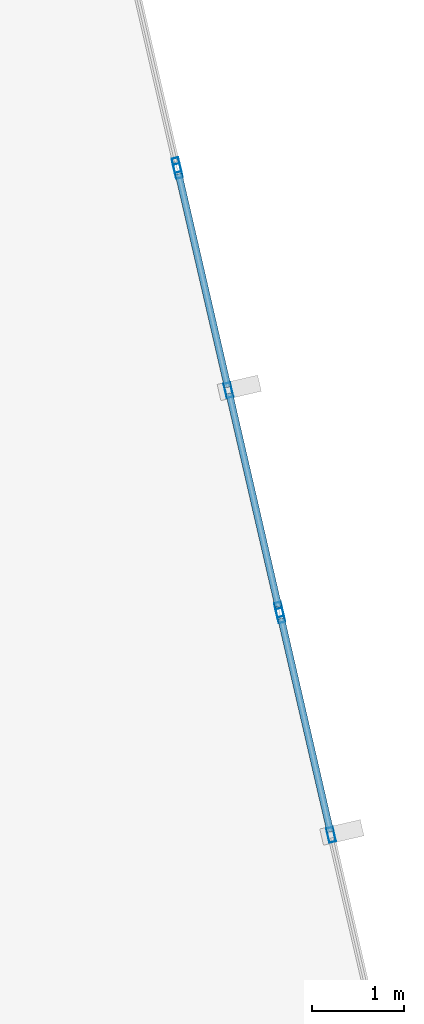
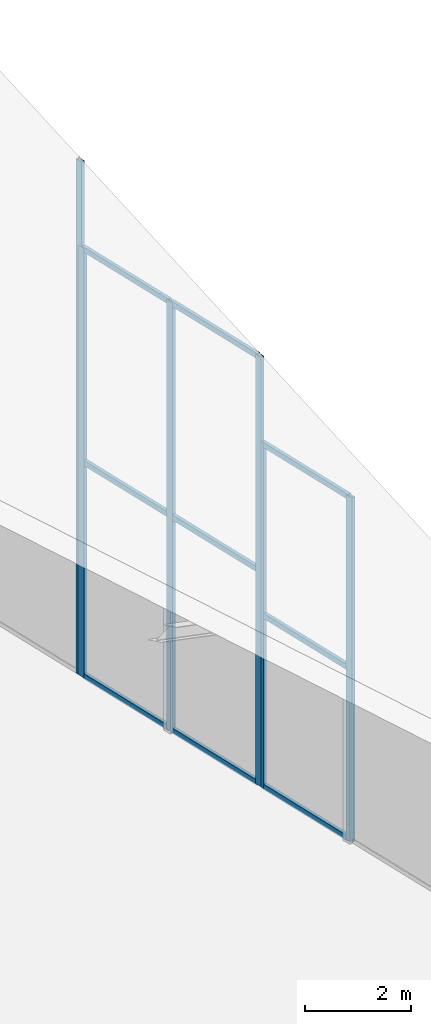
# One storey, part 24 of 74: 15 members, 3 elements without a shape of their own.
"""IFC4 building model written with IfcOpenShell, lengths in metres."""

from ifc_helpers import new_model, si_unit, direction, frame, origin, origin_2d, place, context, subcontext, project, spatial, hollow_rectangle, extrude, material, layer, layer_set, material_profile, profile_set, type_object, element, aggregate, save


model = new_model("IFC4")

# Units and contexts
model_context = context("Model", 3, precision=1e-05, world=origin(), true_north=direction((0.0, 1.0)))
body_context = subcontext(model_context, "Body", "Model", "MODEL_VIEW")
ifc_project = project(units=[si_unit("LENGTHUNIT", "METRE"), si_unit("AREAUNIT", "SQUARE_METRE"), si_unit("VOLUMEUNIT", "CUBIC_METRE"), si_unit("PLANEANGLEUNIT", "RADIAN"), si_unit("MASSUNIT", "GRAM", prefix="KILO")], contexts=[model_context])

# Site, building, storey
site_placement = place(None, origin())
site = spatial("IfcSite", under=ifc_project, at=site_placement, CompositionType="ELEMENT")
building_placement = place(site_placement, origin())
building = spatial("IfcBuilding", under=site, at=building_placement, Name="Keshet Zoharim Tower", CompositionType="ELEMENT")
storey_placement = place(building_placement, frame((0.0, 0.0, 320.0)))
storey = spatial("IfcBuildingStorey", under=building, at=storey_placement, Name="RF", CompositionType="ELEMENT", Elevation=320.0)

# Curtain wall, member
ifc_material = material(Name="Aluminium 6063-T6", Category="aluminium")
ifc_layer = layer(ifc_material, 0.260009765625)
ifc_layer_set = layer_set([ifc_layer], Name="Aluminium 6063-T6")
curtain_wall_type = type_object("IfcCurtainWallType", Name="CW-SYS-06", PredefinedType="NOTDEFINED", material=ifc_layer_set)
curtain_wall_1_placement = place(storey_placement, origin())
curtain_wall_1 = element("IfcCurtainWall", 1, at=curtain_wall_1_placement, inside=storey, type_object=curtain_wall_type, Name="Slanted Crown Curtain Wall 19", PredefinedType="NOTDEFINED")
ifc_material_profile_1 = material_profile(ifc_material, hollow_rectangle(XDim=0.074951171875, YDim=0.159912109375, WallThickness=0.00390625, at=origin_2d()), Name="MUL-75x160")
ifc_profile_set_1 = profile_set([ifc_material_profile_1], Name="Aluminium 6063-T6")
member_type_1 = type_object("IfcMemberType", Name="CWM-M15", PredefinedType="MULLION", material=ifc_profile_set_1)
member_1_placement = place(storey_placement, frame((42.685791015625, 37.9287109375, 0.0), z_axis=(0.0, 0.0, 1.0), x_axis=(0.974384378225, 0.224889047025, 0.0)))
member_1 = element("IfcMember", 2, at=member_1_placement, type_object=member_type_1, Name="CW-06 mullion 3", PredefinedType="MULLION", context=body_context, shape_type="SweptSolid", body=[
    extrude(hollow_rectangle(XDim=0.074951171875, YDim=0.159912109375, WallThickness=0.00390625, at=origin_2d()), origin(), (0.0, 0.0, 1.0), 11.7900390625),
])
aggregate(curtain_wall_1, [member_1])

# Curtain wall, members
curtain_wall_2_placement = place(storey_placement, origin())
curtain_wall_2 = element("IfcCurtainWall", 3, at=curtain_wall_2_placement, inside=storey, type_object=curtain_wall_type, Name="Slanted Crown Curtain Wall 20", PredefinedType="NOTDEFINED")
member_2_placement = place(storey_placement, frame((42.7001953125, 37.865234375, 0.0), z_axis=(0.0, 0.0, 1.0), x_axis=(0.974418463235, 0.224741314643, 0.0)))
member_2 = element("IfcMember", 4, at=member_2_placement, type_object=member_type_1, Name="CW-06 mullion 1", PredefinedType="MULLION", context=body_context, shape_type="SweptSolid", body=[
    extrude(hollow_rectangle(XDim=0.074951171875, YDim=0.159912109375, WallThickness=0.00390625, at=origin_2d()), origin(), (0.0, 0.0, 1.0), 9.845947265625),
])
member_3_placement = place(storey_placement, frame((43.24853515625, 35.488525390625, 0.0), z_axis=(0.0, 0.0, 1.0), x_axis=(0.974418463235, 0.224741314643, 0.0)))
member_3 = element("IfcMember", 5, at=member_3_placement, type_object=member_type_1, Name="CW-06 mullion 2", PredefinedType="MULLION", context=body_context, shape_type="SweptSolid", body=[
    extrude(hollow_rectangle(XDim=0.074951171875, YDim=0.159912109375, WallThickness=0.00390625, at=origin_2d()), origin(), (0.0, 0.0, 1.0), 9.845947265625),
])
member_4_placement = place(storey_placement, frame((43.796630859375, 33.111572265625, 0.0), z_axis=(0.0, 0.0, 1.0), x_axis=(0.974418463235, 0.224741314643, 0.0)))
member_4 = element("IfcMember", 6, at=member_4_placement, type_object=member_type_1, Name="CW-06 mullion 3", PredefinedType="MULLION", context=body_context, shape_type="SweptSolid", body=[
    extrude(hollow_rectangle(XDim=0.074951171875, YDim=0.159912109375, WallThickness=0.00390625, at=origin_2d()), origin(), (0.0, 0.0, 1.0), 9.845947265625),
])

curtain_wall_3_placement = place(storey_placement, origin())
curtain_wall_3 = element("IfcCurtainWall", 7, at=curtain_wall_3_placement, inside=storey, type_object=curtain_wall_type, Name="Slanted Crown Curtain Wall 21", PredefinedType="NOTDEFINED")
member_5_placement = place(storey_placement, frame((43.811279296875, 33.04833984375, 0.0), z_axis=(0.0, 0.0, 1.0), x_axis=(0.974384378225, 0.224889047025, 0.0)))
member_5 = element("IfcMember", 8, at=member_5_placement, type_object=member_type_1, Name="CW-06 mullion 1", PredefinedType="MULLION", context=body_context, shape_type="SweptSolid", body=[
    extrude(hollow_rectangle(XDim=0.074951171875, YDim=0.159912109375, WallThickness=0.00390625, at=origin_2d()), origin(), (0.0, 0.0, 1.0), 7.902099609375),
])
member_6_placement = place(storey_placement, frame((44.360107421875, 30.6708984375, 0.0), z_axis=(0.0, 0.0, 1.0), x_axis=(0.974384378225, 0.224889047025, 0.0)))
member_6 = element("IfcMember", 9, at=member_6_placement, type_object=member_type_1, Name="CW-06 mullion 2", PredefinedType="MULLION", context=body_context, shape_type="SweptSolid", body=[
    extrude(hollow_rectangle(XDim=0.074951171875, YDim=0.159912109375, WallThickness=0.00390625, at=origin_2d()), origin(), (0.0, 0.0, 1.0), 7.902099609375),
])

# Member
ifc_material_profile_2 = material_profile(ifc_material, hollow_rectangle(XDim=0.074951171875, YDim=0.1201171875, WallThickness=0.00390625, at=origin_2d()), Name="TRN-75x120")
ifc_profile_set_2 = profile_set([ifc_material_profile_2], Name="Aluminium 6063-T6")
member_type_2 = type_object("IfcMemberType", Name="CWT-T12", PredefinedType="USERDEFINED", material=ifc_profile_set_2)
member_7_placement = place(storey_placement, frame((42.70751953125, 37.833740234375, 0.032470703125), z_axis=(0.224784406129, -0.974408523547, 0.0), x_axis=(0.974408523547, 0.224784406129, 0.0)))
member_7 = element("IfcMember", 10, at=member_7_placement, type_object=member_type_2, Name="CW-06 transom 1.1", ObjectType="TRANSOM", PredefinedType="USERDEFINED", context=body_context, shape_type="SweptSolid", body=[
    extrude(hollow_rectangle(XDim=0.074951171875, YDim=0.1201171875, WallThickness=0.00390625, at=origin_2d()), origin(), (0.0, 0.0, 1.0), 2.374267578125),
])

member_8_placement = place(storey_placement, frame((42.70751953125, 37.833740234375, 4.923095703125), z_axis=(0.224784406129, -0.974408523547, 0.0), x_axis=(0.974408523547, 0.224784406129, 0.0)))
member_8 = element("IfcMember", 11, at=member_8_placement, type_object=member_type_2, Name="CW-06 transom 1.2", ObjectType="TRANSOM", PredefinedType="USERDEFINED", context=body_context, shape_type="SweptSolid", body=[
    extrude(hollow_rectangle(XDim=0.074951171875, YDim=0.1201171875, WallThickness=0.00390625, at=origin_2d()), origin(), (0.0, 0.0, 1.0), 2.374267578125),
])

member_9_placement = place(storey_placement, frame((42.70751953125, 37.833740234375, 9.8134765625), z_axis=(0.224784406129, -0.974408523547, 0.0), x_axis=(0.974408523547, 0.224784406129, 0.0)))
member_9 = element("IfcMember", 12, at=member_9_placement, type_object=member_type_2, Name="CW-06 transom 1.3", ObjectType="TRANSOM", PredefinedType="USERDEFINED", context=body_context, shape_type="SweptSolid", body=[
    extrude(hollow_rectangle(XDim=0.074951171875, YDim=0.1201171875, WallThickness=0.00390625, at=origin_2d()), origin(), (0.0, 0.0, 1.0), 2.374267578125),
])

member_10_placement = place(storey_placement, frame((43.255859375, 35.456787109375, 0.032470703125), z_axis=(0.224686769398, -0.974431042023, 0.0), x_axis=(0.974431042023, 0.224686769398, 0.0)))
member_10 = element("IfcMember", 13, at=member_10_placement, type_object=member_type_2, Name="CW-06 transom 2.1", ObjectType="TRANSOM", PredefinedType="USERDEFINED", context=body_context, shape_type="SweptSolid", body=[
    extrude(hollow_rectangle(XDim=0.074951171875, YDim=0.1201171875, WallThickness=0.00390625, at=origin_2d()), origin(), (0.0, 0.0, 1.0), 2.374267578125),
])

member_11_placement = place(storey_placement, frame((43.255859375, 35.456787109375, 4.923095703125), z_axis=(0.224686769398, -0.974431042023, 0.0), x_axis=(0.974431042023, 0.224686769398, 0.0)))
member_11 = element("IfcMember", 14, at=member_11_placement, type_object=member_type_2, Name="CW-06 transom 2.2", ObjectType="TRANSOM", PredefinedType="USERDEFINED", context=body_context, shape_type="SweptSolid", body=[
    extrude(hollow_rectangle(XDim=0.074951171875, YDim=0.1201171875, WallThickness=0.00390625, at=origin_2d()), origin(), (0.0, 0.0, 1.0), 2.374267578125),
])

member_12_placement = place(storey_placement, frame((43.255859375, 35.456787109375, 9.8134765625), z_axis=(0.224686769398, -0.974431042023, 0.0), x_axis=(0.974431042023, 0.224686769398, 0.0)))
member_12 = element("IfcMember", 15, at=member_12_placement, type_object=member_type_2, Name="CW-06 transom 2.3", ObjectType="TRANSOM", PredefinedType="USERDEFINED", context=body_context, shape_type="SweptSolid", body=[
    extrude(hollow_rectangle(XDim=0.074951171875, YDim=0.1201171875, WallThickness=0.00390625, at=origin_2d()), origin(), (0.0, 0.0, 1.0), 2.374267578125),
])

aggregate(curtain_wall_2, [member_2, member_3, member_4, member_7, member_8, member_9, member_10, member_11, member_12])

member_13_placement = place(storey_placement, frame((43.818603515625, 33.0166015625, 0.032470703125), z_axis=(0.224934587416, -0.974373866329, 0.0), x_axis=(0.974373866329, 0.224934587416, 0.0)))
member_13 = element("IfcMember", 16, at=member_13_placement, type_object=member_type_2, Name="CW-06 transom 1.1", ObjectType="TRANSOM", PredefinedType="USERDEFINED", context=body_context, shape_type="SweptSolid", body=[
    extrude(hollow_rectangle(XDim=0.074951171875, YDim=0.1201171875, WallThickness=0.00390625, at=origin_2d()), origin(), (0.0, 0.0, 1.0), 2.374755859375),
])

member_14_placement = place(storey_placement, frame((43.818603515625, 33.0166015625, 3.950927734375), z_axis=(0.224934587416, -0.974373866329, 0.0), x_axis=(0.974373866329, 0.224934587416, 0.0)))
member_14 = element("IfcMember", 17, at=member_14_placement, type_object=member_type_2, Name="CW-06 transom 1.2", ObjectType="TRANSOM", PredefinedType="USERDEFINED", context=body_context, shape_type="SweptSolid", body=[
    extrude(hollow_rectangle(XDim=0.074951171875, YDim=0.1201171875, WallThickness=0.00390625, at=origin_2d()), origin(), (0.0, 0.0, 1.0), 2.374755859375),
])

member_15_placement = place(storey_placement, frame((43.818603515625, 33.0166015625, 7.869384765625), z_axis=(0.224934587416, -0.974373866329, 0.0), x_axis=(0.974373866329, 0.224934587416, 0.0)))
member_15 = element("IfcMember", 18, at=member_15_placement, type_object=member_type_2, Name="CW-06 transom 1.3", ObjectType="TRANSOM", PredefinedType="USERDEFINED", context=body_context, shape_type="SweptSolid", body=[
    extrude(hollow_rectangle(XDim=0.074951171875, YDim=0.1201171875, WallThickness=0.00390625, at=origin_2d()), origin(), (0.0, 0.0, 1.0), 2.374755859375),
])

aggregate(curtain_wall_3, [member_5, member_6, member_13, member_14, member_15])

save(model, "model.ifc")
